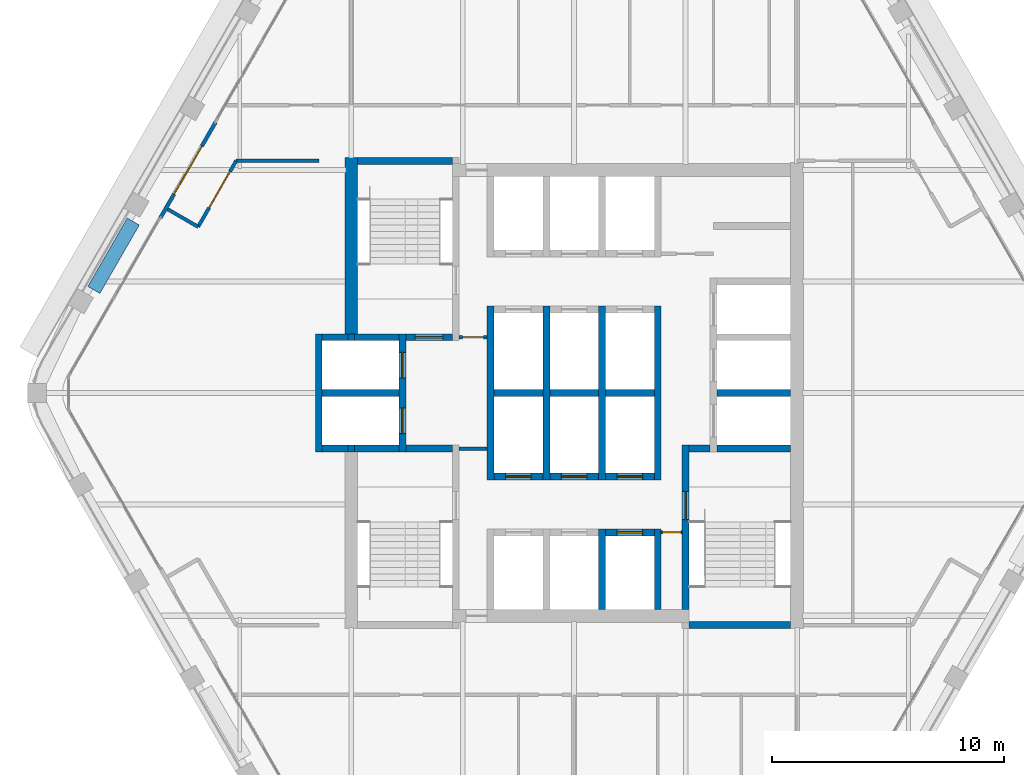
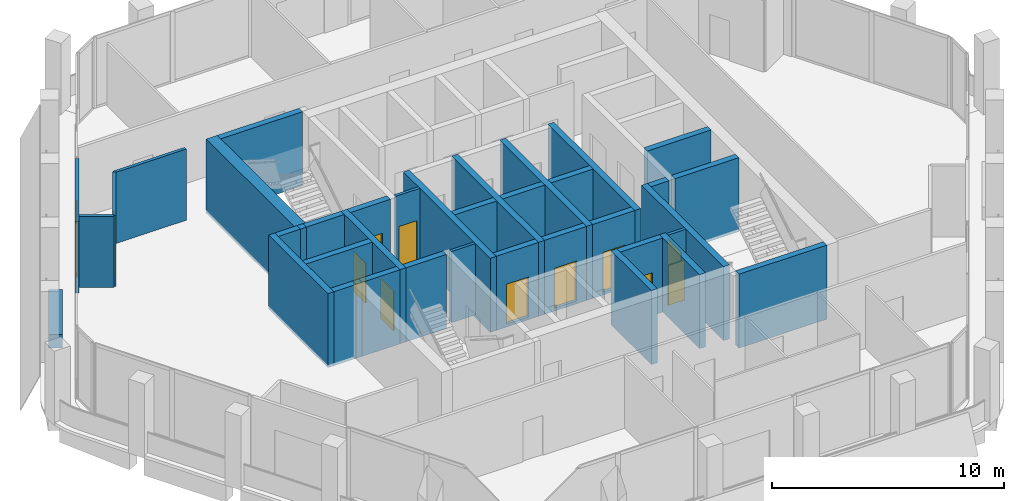
# One storey, part 8 of 14: 39 walls, 12 doors, 12 openings.
"""IFC4 building model written with IfcOpenShell, lengths in metres."""

from ifc_helpers import new_model, si_unit, direction, frame, frame_2d, origin, place, context, subcontext, project, spatial, rectangle, extrude, material, layer, layer_set, type_object, element, fill, save


model = new_model("IFC4")

# Units and contexts
model_context = context("Model", 3, precision=1e-05, world=origin(), true_north=direction((0.0, 1.0)))
body_context = subcontext(model_context, "Body", "Model", "MODEL_VIEW")
ifc_project = project(units=[si_unit("LENGTHUNIT", "METRE"), si_unit("AREAUNIT", "SQUARE_METRE"), si_unit("VOLUMEUNIT", "CUBIC_METRE"), si_unit("PLANEANGLEUNIT", "RADIAN"), si_unit("MASSUNIT", "GRAM", prefix="KILO")], contexts=[model_context])

# Site, building, storey
site_placement = place(None, origin())
site = spatial("IfcSite", under=ifc_project, at=site_placement, CompositionType="ELEMENT")
building_placement = place(site_placement, origin())
building = spatial("IfcBuilding", under=site, at=building_placement, Name="Kolab Exchange Tower", CompositionType="ELEMENT")
storey_placement = place(building_placement, frame((0.0, 0.0, 261.800048828125)))
storey = spatial("IfcBuildingStorey", under=building, at=storey_placement, Name="L58", CompositionType="ELEMENT", Elevation=261.800048828125)

# Wall
ifc_material_1 = material(Name="Concrete C50/60", Category="concrete")
ifc_layer_1 = layer(ifc_material_1, 0.550048828125)
ifc_layer_set_1 = layer_set([ifc_layer_1], Name="Concrete C50/60")
wall_type_1 = type_object("IfcWallType", Name="CORE WALL 550 C50/60", PredefinedType="SHEAR", material=ifc_layer_set_1)
wall_1_placement = place(storey_placement, frame((-9.60009765625, 2.550048828125, -0.150146484375), z_axis=(0.0, 0.0, 1.0), x_axis=(0.0, 1.0, 0.0)))
element("IfcWall", 1, at=wall_1_placement, inside=storey, type_object=wall_type_1, Name="wall/L58/core/037", PredefinedType="SHEAR", context=body_context, shape_type="SweptSolid", body=[
    extrude(rectangle(XDim=7.599853515625, YDim=0.550048828125, at=frame_2d((3.7998046875, 0.0))), origin(), (0.0, 0.0, 1.0), 3.900146484375),
])

# Wall, opening, door
ifc_material_2 = material(Name="Aluminium EN AW-6063 T6", Category="aluminium")
ifc_layer_2 = layer(ifc_material_2, 0.159912109375)
ifc_layer_set_2 = layer_set([ifc_layer_2], Name="Aluminium EN AW-6063 T6")
wall_type_2 = type_object("IfcWallType", Name="DOOR SURROUND WALL 160 ALUMINIUM FRAMED", PredefinedType="PARTITIONING", material=ifc_layer_set_2)
wall_2_placement = place(storey_placement, frame((-17.816650390625, 7.5498046875, 0.0), z_axis=(0.0, 0.0, 1.0), x_axis=(0.499978080042, 0.866038058908, 0.0)))
wall_2 = element("IfcWall", 2, at=wall_2_placement, inside=storey, type_object=wall_type_2, Name="Door surround wall", PredefinedType="PARTITIONING", context=body_context, shape_type="SweptSolid", body=[
    extrude(rectangle(XDim=4.739990234375, YDim=0.159912109375, at=frame_2d((2.3701171875, 0.0))), origin(), (0.0, 0.0, 1.0), 3.75),
])
opening_1_placement = place(wall_2_placement, frame((1.169921875, 0.0, 0.0)))
opening_1 = element("IfcOpeningElement", 3, at=opening_1_placement, cuts=wall_2, Name="Opening GD1-094", PredefinedType="OPENING", context=body_context, shape_type="SweptSolid", body=[
    extrude(rectangle(XDim=2.39990234375, YDim=2.39990234375, at=frame_2d((1.199951171875, 1.199951171875))), frame((0.0, 0.08984375, 0.0), z_axis=(0.0, -1.0, 0.0), x_axis=(1.0, 0.0, 0.0)), (0.0, 0.0, 1.0), 0.179931640625),
])
door_type_1 = type_object("IfcDoorType", Name="LOGGIA SLIDING GLASS DOOR 2400 X 2400", OperationType="DOUBLE_DOOR_SINGLE_SWING", PredefinedType="DOOR", material=ifc_material_2)
door_1_placement = place(opening_1_placement, origin())
door_1 = element("IfcDoor", 4, at=door_1_placement, inside=storey, type_object=door_type_1, Name="Loggia door", OperationType="DOUBLE_DOOR_SLIDING", OverallHeight=2.39990234375, OverallWidth=2.39990234375, PredefinedType="DOOR", context=body_context, shape_type="SweptSolid", body=[
    extrude(rectangle(XDim=2.39990234375, YDim=2.39990234375, at=frame_2d((1.199951171875, 1.199951171875))), frame((0.0, 0.02490234375, 0.0), z_axis=(0.0, -1.0, 0.0), x_axis=(1.0, 0.0, 0.0)), (0.0, 0.0, 1.0), 0.050048828125),
])
fill(opening_1, door_1)

ifc_layer_3 = layer(ifc_material_1, 0.300048828125)
ifc_layer_set_3 = layer_set([ifc_layer_3], Name="Concrete C50/60")
wall_type_3 = type_object("IfcWallType", Name="LIFT SHAFT WALL 300 C50/60", PredefinedType="STANDARD", material=ifc_layer_set_3)
wall_3_placement = place(storey_placement, frame((1.35009765625, -6.0, -0.150146484375), z_axis=(0.0, 0.0, 1.0), x_axis=(1.0, 0.0, 0.0)))
wall_3 = element("IfcWall", 5, at=wall_3_placement, inside=storey, type_object=wall_type_3, Name="wall/L58/core/005", PredefinedType="STANDARD", context=body_context, shape_type="SweptSolid", body=[
    extrude(rectangle(XDim=2.099853515625, YDim=0.300048828125, at=frame_2d((1.0498046875, 0.0))), origin(), (0.0, 0.0, 1.0), 3.900146484375),
])
opening_2_placement = place(wall_3_placement, frame((0.5, 0.0, 0.14990234375)))
opening_2 = element("IfcOpeningElement", 6, at=opening_2_placement, cuts=wall_3, Name="Opening LD1-112", PredefinedType="OPENING", context=body_context, shape_type="SweptSolid", body=[
    extrude(rectangle(XDim=1.10009765625, YDim=2.10009765625, at=frame_2d((0.550048828125, 1.050048828125))), frame((0.0, 0.16015625, 0.0), z_axis=(0.0, -1.0, 0.0), x_axis=(1.0, 0.0, 0.0)), (0.0, 0.0, 1.0), 0.320068359375),
])
ifc_material_3 = material(Name="Stainless steel 316", Category="steel")
door_type_2 = type_object("IfcDoorType", Name="LANDING DOOR 1100 PASSENGER", OperationType="DOUBLE_DOOR_SLIDING", PredefinedType="DOOR", material=ifc_material_3)
door_2_placement = place(opening_2_placement, origin())
door_2 = element("IfcDoor", 7, at=door_2_placement, inside=storey, type_object=door_type_2, Name="Landing door HR12", OperationType="DOUBLE_DOOR_SLIDING", OverallHeight=2.10009765625, OverallWidth=1.10009765625, PredefinedType="DOOR", context=body_context, shape_type="SweptSolid", body=[
    extrude(rectangle(XDim=1.10009765625, YDim=2.10009765625, at=frame_2d((0.550048828125, 1.050048828125))), frame((0.0, 0.02490234375, 0.0), z_axis=(0.0, -1.0, 0.0), x_axis=(1.0, 0.0, 0.0)), (0.0, 0.0, 1.0), 0.050048828125),
])
fill(opening_2, door_2)

wall_4_placement = place(storey_placement, frame((-3.449951171875, -3.60009765625, -0.150146484375), z_axis=(0.0, 0.0, 1.0), x_axis=(1.0, 0.0, 0.0)))
wall_4 = element("IfcWall", 8, at=wall_4_placement, inside=storey, type_object=wall_type_3, Name="wall/L58/core/006", PredefinedType="STANDARD", context=body_context, shape_type="SweptSolid", body=[
    extrude(rectangle(XDim=2.099853515625, YDim=0.300048828125, at=frame_2d((1.0498046875, 0.0))), origin(), (0.0, 0.0, 1.0), 3.900146484375),
])
opening_3_placement = place(wall_4_placement, frame((0.5, 0.0, 0.14990234375)))
opening_3 = element("IfcOpeningElement", 9, at=opening_3_placement, cuts=wall_4, Name="Opening LD1-118", PredefinedType="OPENING", context=body_context, shape_type="SweptSolid", body=[
    extrude(rectangle(XDim=1.10009765625, YDim=2.10009765625, at=frame_2d((0.550048828125, 1.050048828125))), frame((0.0, 0.16015625, 0.0), z_axis=(0.0, -1.0, 0.0), x_axis=(1.0, 0.0, 0.0)), (0.0, 0.0, 1.0), 0.320068359375),
])
door_3_placement = place(opening_3_placement, origin())
door_3 = element("IfcDoor", 10, at=door_3_placement, inside=storey, type_object=door_type_2, Name="Landing door HR7", OperationType="DOUBLE_DOOR_SLIDING", OverallHeight=2.10009765625, OverallWidth=1.10009765625, PredefinedType="DOOR", context=body_context, shape_type="SweptSolid", body=[
    extrude(rectangle(XDim=1.10009765625, YDim=2.10009765625, at=frame_2d((0.550048828125, 1.050048828125))), frame((0.0, 0.02490234375, 0.0), z_axis=(0.0, -1.0, 0.0), x_axis=(1.0, 0.0, 0.0)), (0.0, 0.0, 1.0), 0.050048828125),
])
fill(opening_3, door_3)

wall_5_placement = place(storey_placement, frame((-1.050048828125, -3.60009765625, -0.150146484375), z_axis=(0.0, 0.0, 1.0), x_axis=(1.0, 0.0, 0.0)))
wall_5 = element("IfcWall", 11, at=wall_5_placement, inside=storey, type_object=wall_type_3, Name="wall/L58/core/007", PredefinedType="STANDARD", context=body_context, shape_type="SweptSolid", body=[
    extrude(rectangle(XDim=2.10009765625, YDim=0.300048828125, at=frame_2d((1.050048828125, 0.0))), origin(), (0.0, 0.0, 1.0), 3.900146484375),
])
opening_4_placement = place(wall_5_placement, frame((0.5, 0.0, 0.14990234375)))
opening_4 = element("IfcOpeningElement", 12, at=opening_4_placement, cuts=wall_5, Name="Opening LD1-119", PredefinedType="OPENING", context=body_context, shape_type="SweptSolid", body=[
    extrude(rectangle(XDim=1.10009765625, YDim=2.10009765625, at=frame_2d((0.550048828125, 1.050048828125))), frame((0.0, 0.16015625, 0.0), z_axis=(0.0, -1.0, 0.0), x_axis=(1.0, 0.0, 0.0)), (0.0, 0.0, 1.0), 0.320068359375),
])
door_4_placement = place(opening_4_placement, origin())
door_4 = element("IfcDoor", 13, at=door_4_placement, inside=storey, type_object=door_type_2, Name="Landing door HR8", OperationType="DOUBLE_DOOR_SLIDING", OverallHeight=2.10009765625, OverallWidth=1.10009765625, PredefinedType="DOOR", context=body_context, shape_type="SweptSolid", body=[
    extrude(rectangle(XDim=1.10009765625, YDim=2.10009765625, at=frame_2d((0.550048828125, 1.050048828125))), frame((0.0, 0.02490234375, 0.0), z_axis=(0.0, -1.0, 0.0), x_axis=(1.0, 0.0, 0.0)), (0.0, 0.0, 1.0), 0.050048828125),
])
fill(opening_4, door_4)

wall_6_placement = place(storey_placement, frame((1.35009765625, -3.60009765625, -0.150146484375), z_axis=(0.0, 0.0, 1.0), x_axis=(1.0, 0.0, 0.0)))
wall_6 = element("IfcWall", 14, at=wall_6_placement, inside=storey, type_object=wall_type_3, Name="wall/L58/core/008", PredefinedType="STANDARD", context=body_context, shape_type="SweptSolid", body=[
    extrude(rectangle(XDim=2.099853515625, YDim=0.300048828125, at=frame_2d((1.0498046875, 0.0))), origin(), (0.0, 0.0, 1.0), 3.900146484375),
])
opening_5_placement = place(wall_6_placement, frame((0.5, 0.0, 0.14990234375)))
opening_5 = element("IfcOpeningElement", 15, at=opening_5_placement, cuts=wall_6, Name="Opening LD1-120", PredefinedType="OPENING", context=body_context, shape_type="SweptSolid", body=[
    extrude(rectangle(XDim=1.10009765625, YDim=2.10009765625, at=frame_2d((0.550048828125, 1.050048828125))), frame((0.0, 0.16015625, 0.0), z_axis=(0.0, -1.0, 0.0), x_axis=(1.0, 0.0, 0.0)), (0.0, 0.0, 1.0), 0.320068359375),
])
door_5_placement = place(opening_5_placement, origin())
door_5 = element("IfcDoor", 16, at=door_5_placement, inside=storey, type_object=door_type_2, Name="Landing door HR9", OperationType="DOUBLE_DOOR_SLIDING", OverallHeight=2.10009765625, OverallWidth=1.10009765625, PredefinedType="DOOR", context=body_context, shape_type="SweptSolid", body=[
    extrude(rectangle(XDim=1.10009765625, YDim=2.10009765625, at=frame_2d((0.550048828125, 1.050048828125))), frame((0.0, 0.02490234375, 0.0), z_axis=(0.0, -1.0, 0.0), x_axis=(1.0, 0.0, 0.0)), (0.0, 0.0, 1.0), 0.050048828125),
])
fill(opening_5, door_5)

# Walls
wall_7_placement = place(storey_placement, frame((-10.85009765625, -2.39990234375, -0.150146484375), z_axis=(0.0, 0.0, 1.0), x_axis=(1.0, 0.0, 0.0)))
element("IfcWall", 17, at=wall_7_placement, inside=storey, type_object=wall_type_3, Name="wall/L58/core/009", PredefinedType="STANDARD", context=body_context, shape_type="SweptSolid", body=[
    extrude(rectangle(XDim=1.10009765625, YDim=0.300048828125, at=frame_2d((0.550048828125, 0.0))), origin(), (0.0, 0.0, 1.0), 3.900146484375),
])
wall_8_placement = place(storey_placement, frame((-10.85009765625, 0.0, -0.150146484375), z_axis=(0.0, 0.0, 1.0), x_axis=(1.0, 0.0, 0.0)))
element("IfcWall", 18, at=wall_8_placement, inside=storey, type_object=wall_type_3, Name="wall/L58/core/014", PredefinedType="STANDARD", context=body_context, shape_type="SweptSolid", body=[
    extrude(rectangle(XDim=3.300048828125, YDim=0.300048828125, at=frame_2d((1.64990234375, 0.0))), origin(), (0.0, 0.0, 1.0), 3.900146484375),
])
wall_9_placement = place(storey_placement, frame((-3.449951171875, 0.0, -0.150146484375), z_axis=(0.0, 0.0, 1.0), x_axis=(1.0, 0.0, 0.0)))
element("IfcWall", 19, at=wall_9_placement, inside=storey, type_object=wall_type_3, Name="wall/L58/core/015", PredefinedType="STANDARD", context=body_context, shape_type="SweptSolid", body=[
    extrude(rectangle(XDim=2.099853515625, YDim=0.300048828125, at=frame_2d((1.0498046875, 0.0))), origin(), (0.0, 0.0, 1.0), 3.900146484375),
])
wall_10_placement = place(storey_placement, frame((-1.050048828125, 0.0, -0.150146484375), z_axis=(0.0, 0.0, 1.0), x_axis=(1.0, 0.0, 0.0)))
element("IfcWall", 20, at=wall_10_placement, inside=storey, type_object=wall_type_3, Name="wall/L58/core/016", PredefinedType="STANDARD", context=body_context, shape_type="SweptSolid", body=[
    extrude(rectangle(XDim=2.10009765625, YDim=0.300048828125, at=frame_2d((1.050048828125, 0.0))), origin(), (0.0, 0.0, 1.0), 3.900146484375),
])
wall_11_placement = place(storey_placement, frame((1.35009765625, 0.0, -0.150146484375), z_axis=(0.0, 0.0, 1.0), x_axis=(1.0, 0.0, 0.0)))
element("IfcWall", 21, at=wall_11_placement, inside=storey, type_object=wall_type_3, Name="wall/L58/core/017", PredefinedType="STANDARD", context=body_context, shape_type="SweptSolid", body=[
    extrude(rectangle(XDim=2.099853515625, YDim=0.300048828125, at=frame_2d((1.0498046875, 0.0))), origin(), (0.0, 0.0, 1.0), 3.900146484375),
])
wall_12_placement = place(storey_placement, frame((6.14990234375, 0.0, -0.150146484375), z_axis=(0.0, 0.0, 1.0), x_axis=(1.0, 0.0, 0.0)))
element("IfcWall", 22, at=wall_12_placement, inside=storey, type_object=wall_type_3, Name="wall/L58/core/018", PredefinedType="STANDARD", context=body_context, shape_type="SweptSolid", body=[
    extrude(rectangle(XDim=3.175048828125, YDim=0.300048828125, at=frame_2d((1.58740234375, 0.0))), origin(), (0.0, 0.0, 1.0), 3.900146484375),
])
wall_13_placement = place(storey_placement, frame((-10.85009765625, 2.39990234375, -0.150146484375), z_axis=(0.0, 0.0, 1.0), x_axis=(1.0, 0.0, 0.0)))
element("IfcWall", 23, at=wall_13_placement, inside=storey, type_object=wall_type_3, Name="wall/L58/core/019", PredefinedType="STANDARD", context=body_context, shape_type="SweptSolid", body=[
    extrude(rectangle(XDim=1.10009765625, YDim=0.300048828125, at=frame_2d((0.550048828125, 0.0))), origin(), (0.0, 0.0, 1.0), 3.900146484375),
])
wall_14_placement = place(storey_placement, frame((-11.0, -2.550048828125, -0.150146484375), z_axis=(0.0, 0.0, 1.0), x_axis=(0.0, 1.0, 0.0)))
element("IfcWall", 24, at=wall_14_placement, inside=storey, type_object=wall_type_3, Name="wall/L58/core/033", PredefinedType="STANDARD", context=body_context, shape_type="SweptSolid", body=[
    extrude(rectangle(XDim=5.10009765625, YDim=0.300048828125, at=frame_2d((2.550048828125, 0.0))), origin(), (0.0, 0.0, 1.0), 3.900146484375),
])

# Wall, openings, doors
wall_15_placement = place(storey_placement, frame((-7.39990234375, -2.550048828125, -0.150146484375), z_axis=(0.0, 0.0, 1.0), x_axis=(0.0, 1.0, 0.0)))
wall_15 = element("IfcWall", 25, at=wall_15_placement, inside=storey, type_object=wall_type_3, Name="wall/L58/core/038", PredefinedType="STANDARD", context=body_context, shape_type="SweptSolid", body=[
    extrude(rectangle(XDim=5.10009765625, YDim=0.300048828125, at=frame_2d((2.550048828125, 0.0))), origin(), (0.0, 0.0, 1.0), 3.900146484375),
])
opening_6_placement = place(wall_15_placement, frame((0.800048828125, 0.0, 0.14990234375)))
opening_6 = element("IfcOpeningElement", 26, at=opening_6_placement, cuts=wall_15, Name="Opening LD2-025", PredefinedType="OPENING", context=body_context, shape_type="SweptSolid", body=[
    extrude(rectangle(XDim=1.10009765625, YDim=2.10009765625, at=frame_2d((0.550048828125, 1.050048828125))), frame((0.0, 0.16015625, 0.0), z_axis=(0.0, -1.0, 0.0), x_axis=(1.0, 0.0, 0.0)), (0.0, 0.0, 1.0), 0.320068359375),
])
opening_7_placement = place(wall_15_placement, frame((3.199951171875, 0.0, 0.14990234375)))
opening_7 = element("IfcOpeningElement", 27, at=opening_7_placement, cuts=wall_15, Name="Opening LD2-026", PredefinedType="OPENING", context=body_context, shape_type="SweptSolid", body=[
    extrude(rectangle(XDim=1.10009765625, YDim=2.10009765625, at=frame_2d((0.550048828125, 1.050048828125))), frame((0.0, 0.16015625, 0.0), z_axis=(0.0, -1.0, 0.0), x_axis=(1.0, 0.0, 0.0)), (0.0, 0.0, 1.0), 0.320068359375),
])
door_type_3 = type_object("IfcDoorType", Name="LANDING DOOR 1100 FIREFIGHTING", OperationType="DOUBLE_DOOR_SLIDING", PredefinedType="DOOR", material=ifc_material_3)
door_6_placement = place(opening_6_placement, origin())
door_6 = element("IfcDoor", 28, at=door_6_placement, inside=storey, type_object=door_type_3, Name="Landing door FF1", OperationType="DOUBLE_DOOR_SLIDING", OverallHeight=2.10009765625, OverallWidth=1.10009765625, PredefinedType="DOOR", context=body_context, shape_type="SweptSolid", body=[
    extrude(rectangle(XDim=1.10009765625, YDim=2.10009765625, at=frame_2d((0.550048828125, 1.050048828125))), frame((0.0, 0.02490234375, 0.0), z_axis=(0.0, -1.0, 0.0), x_axis=(1.0, 0.0, 0.0)), (0.0, 0.0, 1.0), 0.050048828125),
])
fill(opening_6, door_6)
door_7_placement = place(opening_7_placement, origin())
door_7 = element("IfcDoor", 29, at=door_7_placement, inside=storey, type_object=door_type_3, Name="Landing door FF2", OperationType="DOUBLE_DOOR_SLIDING", OverallHeight=2.10009765625, OverallWidth=1.10009765625, PredefinedType="DOOR", context=body_context, shape_type="SweptSolid", body=[
    extrude(rectangle(XDim=1.10009765625, YDim=2.10009765625, at=frame_2d((0.550048828125, 1.050048828125))), frame((0.0, 0.02490234375, 0.0), z_axis=(0.0, -1.0, 0.0), x_axis=(1.0, 0.0, 0.0)), (0.0, 0.0, 1.0), 0.050048828125),
])
fill(opening_7, door_7)

# Walls
for number, where, z_axis, x_axis, name in (
    (30, (-3.60009765625, -3.75, -0.150146484375), (0.0, 0.0, 1.0), (0.0, 1.0, 0.0), "wall/L58/core/044"),
    (31, (-1.199951171875, -3.75, -0.150146484375), (0.0, 0.0, 1.0), (0.0, 1.0, 0.0), "wall/L58/core/047"),
):
    element("IfcWall", number, at=place(storey_placement, frame(where, z_axis=z_axis, x_axis=x_axis)), inside=storey, type_object=wall_type_3, Name=name, PredefinedType="STANDARD", context=body_context, shape_type="SweptSolid", body=[
        extrude(rectangle(XDim=7.5, YDim=0.300048828125, at=frame_2d((3.75, 0.0))), origin(), (0.0, 0.0, 1.0), 3.900146484375),
    ])
wall_16_placement = place(storey_placement, frame((1.199951171875, -9.324951171875, -0.150146484375), z_axis=(0.0, 0.0, 1.0), x_axis=(0.0, 1.0, 0.0)))
element("IfcWall", 32, at=wall_16_placement, inside=storey, type_object=wall_type_3, Name="wall/L58/core/049", PredefinedType="STANDARD", context=body_context, shape_type="SweptSolid", body=[
    extrude(rectangle(XDim=3.474853515625, YDim=0.300048828125, at=frame_2d((1.7373046875, 0.0))), origin(), (0.0, 0.0, 1.0), 3.900146484375),
])
wall_17_placement = place(storey_placement, frame((1.199951171875, -3.75, -0.150146484375), z_axis=(0.0, 0.0, 1.0), x_axis=(0.0, 1.0, 0.0)))
element("IfcWall", 33, at=wall_17_placement, inside=storey, type_object=wall_type_3, Name="wall/L58/core/050", PredefinedType="STANDARD", context=body_context, shape_type="SweptSolid", body=[
    extrude(rectangle(XDim=7.5, YDim=0.300048828125, at=frame_2d((3.75, 0.0))), origin(), (0.0, 0.0, 1.0), 3.900146484375),
])
wall_18_placement = place(storey_placement, frame((3.60009765625, -9.324951171875, -0.150146484375), z_axis=(0.0, 0.0, 1.0), x_axis=(0.0, 1.0, 0.0)))
element("IfcWall", 34, at=wall_18_placement, inside=storey, type_object=wall_type_3, Name="wall/L58/core/052", PredefinedType="STANDARD", context=body_context, shape_type="SweptSolid", body=[
    extrude(rectangle(XDim=3.474853515625, YDim=0.300048828125, at=frame_2d((1.7373046875, 0.0))), origin(), (0.0, 0.0, 1.0), 3.900146484375),
])
wall_19_placement = place(storey_placement, frame((3.60009765625, -3.75, -0.150146484375), z_axis=(0.0, 0.0, 1.0), x_axis=(0.0, 1.0, 0.0)))
element("IfcWall", 35, at=wall_19_placement, inside=storey, type_object=wall_type_3, Name="wall/L58/core/053", PredefinedType="STANDARD", context=body_context, shape_type="SweptSolid", body=[
    extrude(rectangle(XDim=7.5, YDim=0.300048828125, at=frame_2d((3.75, 0.0))), origin(), (0.0, 0.0, 1.0), 3.900146484375),
])

# Wall, opening, door
ifc_material_4 = material(Name="Gypsum board", Category="gypsum")
ifc_layer_4 = layer(ifc_material_4, 0.14990234375)
ifc_layer_set_4 = layer_set([ifc_layer_4], Name="Gypsum board")
wall_type_4 = type_object("IfcWallType", Name="PARTITION 150 FIRE-RATED", PredefinedType="PARTITIONING", material=ifc_layer_set_4)
wall_20_placement = place(storey_placement, frame((-16.196044921875, 7.15673828125, 0.0), z_axis=(0.0, 0.0, 1.0), x_axis=(0.499954196102, 0.866051847062, 0.0)))
wall_20 = element("IfcWall", 36, at=wall_20_placement, inside=storey, type_object=wall_type_4, Name="Partition 015", PredefinedType="PARTITIONING", context=body_context, shape_type="SweptSolid", body=[
    extrude(rectangle(XDim=3.282958984375, YDim=0.14990234375, at=frame_2d((1.6416015625, 0.0))), origin(), (0.0, 0.0, 1.0), 3.75),
])
opening_8_placement = place(wall_20_placement, frame((0.94140625, 0.0, 0.0)))
opening_8 = element("IfcOpeningElement", 37, at=opening_8_placement, cuts=wall_20, Name="Opening D2-072", PredefinedType="OPENING", context=body_context, shape_type="SweptSolid", body=[
    extrude(rectangle(XDim=1.800048828125, YDim=2.10009765625, at=frame_2d((0.89990234375, 1.050048828125))), frame((0.0, 0.0849609375, 0.0), z_axis=(0.0, -1.0, 0.0), x_axis=(1.0, 0.0, 0.0)), (0.0, 0.0, 1.0), 0.169921875),
])
ifc_material_5 = material(Name="Steel S235", Category="steel")
door_type_4 = type_object("IfcDoorType", Name="DOUBLE DOOR 1800 FD60", OperationType="DOUBLE_DOOR_SINGLE_SWING", PredefinedType="DOOR", material=ifc_material_5)
door_8_placement = place(opening_8_placement, frame((1.800048828125, 0.0, 0.0), z_axis=(0.0, 0.0, 1.0), x_axis=(-1.0, 0.0, 0.0)))
door_8 = element("IfcDoor", 38, at=door_8_placement, inside=storey, type_object=door_type_4, Name="Door L58-042", OperationType="SINGLE_SWING_RIGHT", OverallHeight=2.10009765625, OverallWidth=1.800048828125, PredefinedType="DOOR", context=body_context, shape_type="SweptSolid", body=[
    extrude(rectangle(XDim=1.800048828125, YDim=2.10009765625, at=frame_2d((0.89990234375, 1.050048828125))), frame((0.0, 0.02490234375, 0.0), z_axis=(0.0, -1.0, 0.0), x_axis=(1.0, 0.0, 0.0)), (0.0, 0.0, 1.0), 0.050048828125),
])
fill(opening_8, door_8)

# Wall
wall_21_placement = place(storey_placement, frame((-17.512451171875, 7.9169921875, 0.0), z_axis=(0.0, 0.0, 1.0), x_axis=(0.865960906633, -0.500111695708, 0.0)))
element("IfcWall", 39, at=wall_21_placement, inside=storey, type_object=wall_type_4, Name="Partition 016", PredefinedType="PARTITIONING", context=body_context, shape_type="SweptSolid", body=[
    extrude(rectangle(XDim=1.520263671875, YDim=0.14990234375, at=frame_2d((0.76025390625, 0.0))), origin(), (0.0, 0.0, 1.0), 3.75),
])

# Wall, opening, door
wall_22_placement = place(storey_placement, frame((3.75, -6.0, 0.0), z_axis=(0.0, 0.0, 1.0), x_axis=(1.0, 0.0, 0.0)))
wall_22 = element("IfcWall", 40, at=wall_22_placement, inside=storey, type_object=wall_type_4, Name="Partition 024", PredefinedType="PARTITIONING", context=body_context, shape_type="SweptSolid", body=[
    extrude(rectangle(XDim=0.89990234375, YDim=0.14990234375, at=frame_2d((0.449951171875, 0.0))), origin(), (0.0, 0.0, 1.0), 3.75),
])
opening_9_placement = place(wall_22_placement, frame((0.050048828125, 0.0, 0.0)))
opening_9 = element("IfcOpeningElement", 41, at=opening_9_placement, cuts=wall_22, Name="Opening D7-041", PredefinedType="OPENING", context=body_context, shape_type="SweptSolid", body=[
    extrude(rectangle(XDim=0.800048828125, YDim=2.10009765625, at=frame_2d((0.39990234375, 1.050048828125))), frame((0.0, 0.0849609375, 0.0), z_axis=(0.0, -1.0, 0.0), x_axis=(1.0, 0.0, 0.0)), (0.0, 0.0, 1.0), 0.169921875),
])
door_type_5 = type_object("IfcDoorType", Name="FLUSH DOOR 800 FD60", OperationType="SINGLE_SWING_LEFT", PredefinedType="DOOR", material=ifc_material_5)
door_9_placement = place(opening_9_placement, frame((0.800048828125, 0.0, 0.0), z_axis=(0.0, 0.0, 1.0), x_axis=(-1.0, 0.0, 0.0)))
door_9 = element("IfcDoor", 42, at=door_9_placement, inside=storey, type_object=door_type_5, Name="Door L58-024", OperationType="SINGLE_SWING_RIGHT", OverallHeight=2.10009765625, OverallWidth=0.800048828125, PredefinedType="DOOR", context=body_context, shape_type="SweptSolid", body=[
    extrude(rectangle(XDim=0.800048828125, YDim=2.10009765625, at=frame_2d((0.39990234375, 1.050048828125))), frame((0.0, 0.02490234375, 0.0), z_axis=(0.0, -1.0, 0.0), x_axis=(1.0, 0.0, 0.0)), (0.0, 0.0, 1.0), 0.050048828125),
])
fill(opening_9, door_9)

# Wall
wall_23_placement = place(storey_placement, frame((-14.5546875, 10.0, 0.0), z_axis=(0.0, 0.0, 1.0), x_axis=(1.0, 0.0, 0.0)))
element("IfcWall", 43, at=wall_23_placement, inside=storey, type_object=wall_type_4, Name="Partition 026", PredefinedType="PARTITIONING", context=body_context, shape_type="SweptSolid", body=[
    extrude(rectangle(XDim=3.5546875, YDim=0.14990234375, at=frame_2d((1.77734375, 0.0))), origin(), (0.0, 0.0, 1.0), 3.75),
])

# Wall, opening, door
wall_24_placement = place(storey_placement, frame((-4.949951171875, 2.39990234375, 0.0), z_axis=(0.0, 0.0, 1.0), x_axis=(1.0, 0.0, 0.0)))
wall_24 = element("IfcWall", 44, at=wall_24_placement, inside=storey, type_object=wall_type_4, Name="Fire partition", PredefinedType="PARTITIONING", context=body_context, shape_type="SweptSolid", body=[
    extrude(rectangle(XDim=1.199951171875, YDim=0.14990234375, at=frame_2d((0.60009765625, 0.0))), origin(), (0.0, 0.0, 1.0), 3.75),
])
opening_10_placement = place(wall_24_placement, frame((0.14990234375, 0.0, 0.0)))
opening_10 = element("IfcOpeningElement", 45, at=opening_10_placement, cuts=wall_24, Name="Opening D6-288", PredefinedType="OPENING", context=body_context, shape_type="SweptSolid", body=[
    extrude(rectangle(XDim=0.89990234375, YDim=2.10009765625, at=frame_2d((0.449951171875, 1.050048828125))), frame((0.0, 0.0849609375, 0.0), z_axis=(0.0, -1.0, 0.0), x_axis=(1.0, 0.0, 0.0)), (0.0, 0.0, 1.0), 0.169921875),
])
door_type_6 = type_object("IfcDoorType", Name="CORE DOOR 900 EI 120", OperationType="SINGLE_SWING_LEFT", PredefinedType="DOOR", material=ifc_material_5)
door_10_placement = place(opening_10_placement, frame((0.89990234375, 0.0, 0.0), z_axis=(0.0, 0.0, 1.0), x_axis=(-1.0, 0.0, 0.0)))
door_10 = element("IfcDoor", 46, at=door_10_placement, inside=storey, type_object=door_type_6, Name="Firefighting lobby door", OperationType="SINGLE_SWING_RIGHT", OverallHeight=2.10009765625, OverallWidth=0.89990234375, PredefinedType="DOOR", context=body_context, shape_type="SweptSolid", body=[
    extrude(rectangle(XDim=0.89990234375, YDim=2.10009765625, at=frame_2d((0.449951171875, 1.050048828125))), frame((0.0, 0.02490234375, 0.0), z_axis=(0.0, -1.0, 0.0), x_axis=(1.0, 0.0, 0.0)), (0.0, 0.0, 1.0), 0.050048828125),
])
fill(opening_10, door_10)

# Walls
wall_25_placement = place(storey_placement, frame((-4.949951171875, -2.39990234375, 0.0), z_axis=(0.0, 0.0, 1.0), x_axis=(1.0, 0.0, 0.0)))
element("IfcWall", 47, at=wall_25_placement, inside=storey, type_object=wall_type_4, Name="Fire partition", PredefinedType="PARTITIONING", context=body_context, shape_type="SweptSolid", body=[
    extrude(rectangle(XDim=1.199951171875, YDim=0.14990234375, at=frame_2d((0.60009765625, 0.0))), origin(), (0.0, 0.0, 1.0), 3.75),
])
ifc_material_6 = material(Name="Granite facing", Category="masonry")
ifc_layer_5 = layer(ifc_material_6, 0.0400390625)
ifc_material_7 = material(Name="Concrete C40/50 precast", Category="concrete")
ifc_layer_6 = layer(ifc_material_7, 0.56005859375)
ifc_layer_set_5 = layer_set([ifc_layer_5, ifc_layer_6], Name="Concrete C40/50 precast")
wall_type_5 = type_object("IfcWallType", Name="PLANTER BOX 600 X 700 SOIL DEPTH 550", PredefinedType="USERDEFINED", material=ifc_layer_set_5)
wall_26_placement = place(storey_placement, frame((-20.68701171875, 4.438232421875, 0.0), z_axis=(0.0, 0.0, 1.0), x_axis=(0.500008388397, 0.866020560687, 0.0)))
element("IfcWall", 48, at=wall_26_placement, inside=storey, type_object=wall_type_5, Name="Planter", ObjectType="PLANTER", PredefinedType="USERDEFINED", context=body_context, shape_type="SweptSolid", body=[
    extrude(rectangle(XDim=3.39990234375, YDim=0.60009765625, at=frame_2d((1.699951171875, 0.0))), origin(), (0.0, 0.0, 1.0), 0.699951171875),
])
ifc_layer_7 = layer(ifc_material_1, 0.300048828125)
ifc_layer_set_6 = layer_set([ifc_layer_7], Name="Concrete C50/60")
wall_type_6 = type_object("IfcWallType", Name="STAIR ENCLOSURE WALL 300 C50/60", PredefinedType="STANDARD", material=ifc_layer_set_6)
wall_27_placement = place(storey_placement, frame((4.949951171875, -10.0, -0.150146484375), z_axis=(0.0, 0.0, 1.0), x_axis=(1.0, 0.0, 0.0)))
element("IfcWall", 49, at=wall_27_placement, inside=storey, type_object=wall_type_6, Name="wall/L58/core/001", PredefinedType="STANDARD", context=body_context, shape_type="SweptSolid", body=[
    extrude(rectangle(XDim=4.375, YDim=0.300048828125, at=frame_2d((2.1875, 0.0))), origin(), (0.0, 0.0, 1.0), 3.900146484375),
])
wall_28_placement = place(storey_placement, frame((-9.449951171875, -2.39990234375, -0.150146484375), z_axis=(0.0, 0.0, 1.0), x_axis=(1.0, 0.0, 0.0)))
element("IfcWall", 50, at=wall_28_placement, inside=storey, type_object=wall_type_6, Name="wall/L58/core/010", PredefinedType="STANDARD", context=body_context, shape_type="SweptSolid", body=[
    extrude(rectangle(XDim=1.89990234375, YDim=0.300048828125, at=frame_2d((0.949951171875, 0.0))), origin(), (0.0, 0.0, 1.0), 3.900146484375),
])
wall_29_placement = place(storey_placement, frame((-7.25, -2.39990234375, -0.150146484375), z_axis=(0.0, 0.0, 1.0), x_axis=(1.0, 0.0, 0.0)))
element("IfcWall", 51, at=wall_29_placement, inside=storey, type_object=wall_type_6, Name="wall/L58/core/011", PredefinedType="STANDARD", context=body_context, shape_type="SweptSolid", body=[
    extrude(rectangle(XDim=2.0, YDim=0.300048828125, at=frame_2d((1.0, 0.0))), origin(), (0.0, 0.0, 1.0), 3.900146484375),
])
wall_30_placement = place(storey_placement, frame((4.949951171875, -2.39990234375, -0.150146484375), z_axis=(0.0, 0.0, 1.0), x_axis=(1.0, 0.0, 0.0)))
element("IfcWall", 52, at=wall_30_placement, inside=storey, type_object=wall_type_6, Name="wall/L58/core/012", PredefinedType="STANDARD", context=body_context, shape_type="SweptSolid", body=[
    extrude(rectangle(XDim=0.900146484375, YDim=0.300048828125, at=frame_2d((0.4501953125, 0.0))), origin(), (0.0, 0.0, 1.0), 3.900146484375),
])
wall_31_placement = place(storey_placement, frame((6.14990234375, -2.39990234375, -0.150146484375), z_axis=(0.0, 0.0, 1.0), x_axis=(1.0, 0.0, 0.0)))
element("IfcWall", 53, at=wall_31_placement, inside=storey, type_object=wall_type_6, Name="wall/L58/core/013", PredefinedType="STANDARD", context=body_context, shape_type="SweptSolid", body=[
    extrude(rectangle(XDim=3.175048828125, YDim=0.300048828125, at=frame_2d((1.58740234375, 0.0))), origin(), (0.0, 0.0, 1.0), 3.900146484375),
])
wall_32_placement = place(storey_placement, frame((-9.449951171875, 2.39990234375, -0.150146484375), z_axis=(0.0, 0.0, 1.0), x_axis=(1.0, 0.0, 0.0)))
element("IfcWall", 54, at=wall_32_placement, inside=storey, type_object=wall_type_6, Name="wall/L58/core/020", PredefinedType="STANDARD", context=body_context, shape_type="SweptSolid", body=[
    extrude(rectangle(XDim=1.89990234375, YDim=0.300048828125, at=frame_2d((0.949951171875, 0.0))), origin(), (0.0, 0.0, 1.0), 3.900146484375),
])

# Wall, opening, door
wall_33_placement = place(storey_placement, frame((-7.25, 2.39990234375, -0.150146484375), z_axis=(0.0, 0.0, 1.0), x_axis=(1.0, 0.0, 0.0)))
wall_33 = element("IfcWall", 55, at=wall_33_placement, inside=storey, type_object=wall_type_6, Name="wall/L58/core/021", PredefinedType="STANDARD", context=body_context, shape_type="SweptSolid", body=[
    extrude(rectangle(XDim=2.0, YDim=0.300048828125, at=frame_2d((1.0, 0.0))), origin(), (0.0, 0.0, 1.0), 3.900146484375),
])
opening_11_placement = place(wall_33_placement, frame((0.39990234375, 0.0, 0.14990234375)))
opening_11 = element("IfcOpeningElement", 56, at=opening_11_placement, cuts=wall_33, Name="Opening D4-065", PredefinedType="OPENING", context=body_context, shape_type="SweptSolid", body=[
    extrude(rectangle(XDim=1.199951171875, YDim=2.10009765625, at=frame_2d((0.60009765625, 1.050048828125))), frame((0.0, 0.16015625, 0.0), z_axis=(0.0, -1.0, 0.0), x_axis=(1.0, 0.0, 0.0)), (0.0, 0.0, 1.0), 0.320068359375),
])
door_type_7 = type_object("IfcDoorType", Name="STAIR DOOR 1200 EI 120", OperationType="SINGLE_SWING_LEFT", PredefinedType="DOOR", material=ifc_material_5)
door_11_placement = place(opening_11_placement, origin())
door_11 = element("IfcDoor", 57, at=door_11_placement, inside=storey, type_object=door_type_7, Name="Stair 1 door", OperationType="SINGLE_SWING_RIGHT", OverallHeight=2.10009765625, OverallWidth=1.199951171875, PredefinedType="DOOR", context=body_context, shape_type="SweptSolid", body=[
    extrude(rectangle(XDim=1.199951171875, YDim=2.10009765625, at=frame_2d((0.60009765625, 1.050048828125))), frame((0.0, 0.02490234375, 0.0), z_axis=(0.0, -1.0, 0.0), x_axis=(1.0, 0.0, 0.0)), (0.0, 0.0, 1.0), 0.050048828125),
])
fill(opening_11, door_11)

# Walls
wall_34_placement = place(storey_placement, frame((-9.324951171875, 10.0, -0.150146484375), z_axis=(0.0, 0.0, 1.0), x_axis=(1.0, 0.0, 0.0)))
element("IfcWall", 58, at=wall_34_placement, inside=storey, type_object=wall_type_6, Name="wall/L58/core/032", PredefinedType="STANDARD", context=body_context, shape_type="SweptSolid", body=[
    extrude(rectangle(XDim=4.074951171875, YDim=0.300048828125, at=frame_2d((2.03759765625, 0.0))), origin(), (0.0, 0.0, 1.0), 3.900146484375),
])
for number, where, z_axis, x_axis, name in (
    (59, (-9.60009765625, -2.550048828125, -0.150146484375), (0.0, 0.0, 1.0), (0.0, 1.0, 0.0), "wall/L58/core/035"),
    (60, (-9.60009765625, 2.25, -0.150146484375), (0.0, 0.0, 1.0), (0.0, 1.0, 0.0), "wall/L58/core/036"),
):
    element("IfcWall", number, at=place(storey_placement, frame(where, z_axis=z_axis, x_axis=x_axis)), inside=storey, type_object=wall_type_6, Name=name, PredefinedType="STANDARD", context=body_context, shape_type="SweptSolid", body=[
        extrude(rectangle(XDim=0.300048828125, YDim=0.300048828125, at=frame_2d((0.14990234375, 0.0))), origin(), (0.0, 0.0, 1.0), 3.900146484375),
    ])

# Wall, opening, door
wall_35_placement = place(storey_placement, frame((4.800048828125, -9.324951171875, -0.150146484375), z_axis=(0.0, 0.0, 1.0), x_axis=(0.0, 1.0, 0.0)))
wall_35 = element("IfcWall", 61, at=wall_35_placement, inside=storey, type_object=wall_type_6, Name="wall/L58/core/056", PredefinedType="STANDARD", context=body_context, shape_type="SweptSolid", body=[
    extrude(rectangle(XDim=7.074951171875, YDim=0.300048828125, at=frame_2d((3.53759765625, 0.0))), origin(), (0.0, 0.0, 1.0), 3.900146484375),
])
opening_12_placement = place(wall_35_placement, frame((3.875, 0.0, 0.14990234375)))
opening_12 = element("IfcOpeningElement", 62, at=opening_12_placement, cuts=wall_35, Name="Opening D4-077", PredefinedType="OPENING", context=body_context, shape_type="SweptSolid", body=[
    extrude(rectangle(XDim=1.199951171875, YDim=2.10009765625, at=frame_2d((0.60009765625, 1.050048828125))), frame((0.0, 0.16015625, 0.0), z_axis=(0.0, -1.0, 0.0), x_axis=(1.0, 0.0, 0.0)), (0.0, 0.0, 1.0), 0.320068359375),
])
door_12_placement = place(opening_12_placement, frame((1.199951171875, 0.0, 0.0), z_axis=(0.0, 0.0, 1.0), x_axis=(-1.0, 0.0, 0.0)))
door_12 = element("IfcDoor", 63, at=door_12_placement, inside=storey, type_object=door_type_7, Name="Stair 2 door", OperationType="SINGLE_SWING_RIGHT", OverallHeight=2.10009765625, OverallWidth=1.199951171875, PredefinedType="DOOR", context=body_context, shape_type="SweptSolid", body=[
    extrude(rectangle(XDim=1.199951171875, YDim=2.10009765625, at=frame_2d((0.60009765625, 1.050048828125))), frame((0.0, 0.02490234375, 0.0), z_axis=(0.0, -1.0, 0.0), x_axis=(1.0, 0.0, 0.0)), (0.0, 0.0, 1.0), 0.050048828125),
])
fill(opening_12, door_12)

save(model, "model.ifc")
